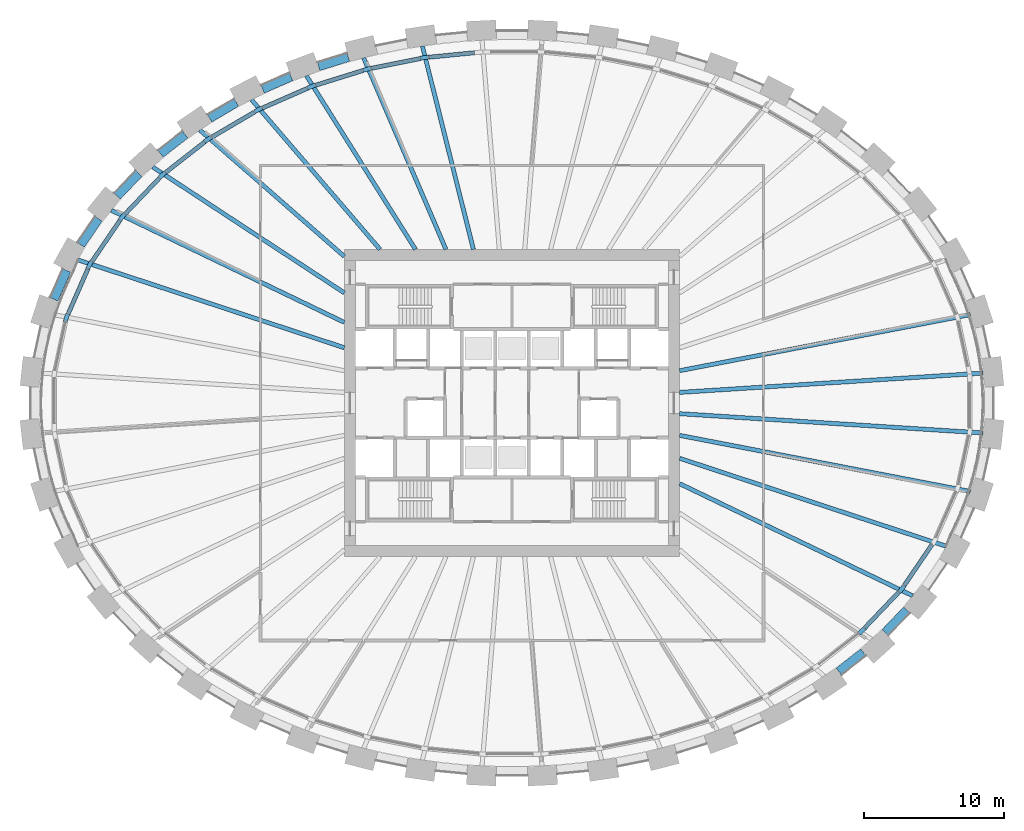
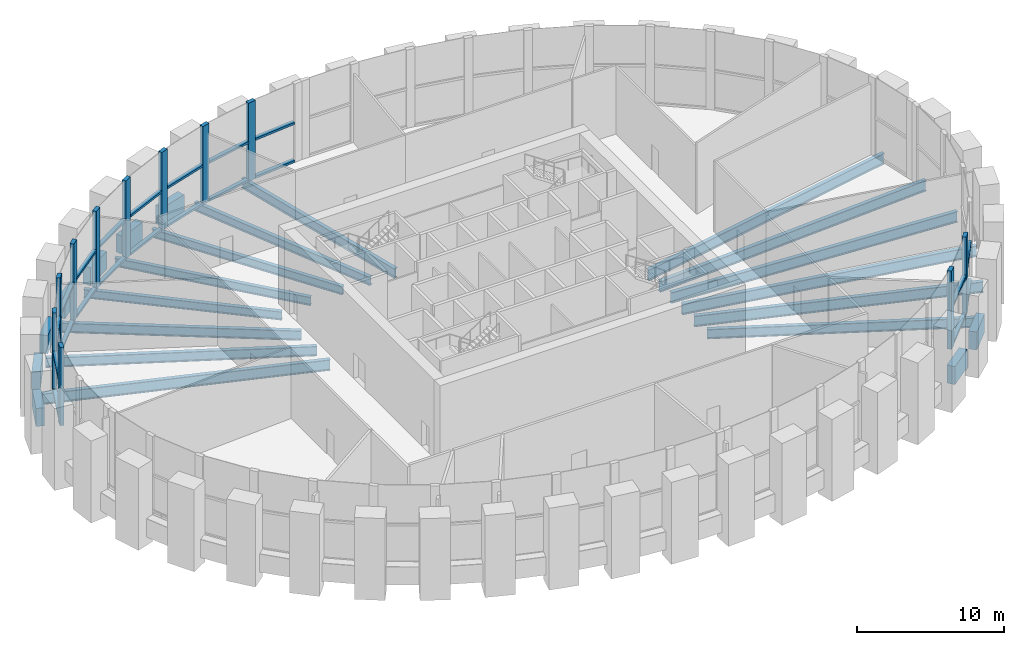
# One storey, part 3 of 16: 33 members, 23 beams, 2 elements without a shape of their own.
"""IFC4 building model written with IfcOpenShell, lengths in metres."""

from ifc_helpers import new_model, si_unit, direction, frame, origin, origin_2d, place, context, subcontext, project, spatial, rectangle, i_section, extrude, source, transform, mapped, material, material_profile, profile_set, type_object, element, aggregate, save


model = new_model("IFC4")

# Units and contexts
model_context = context("Model", 3, precision=1e-05, world=origin(), true_north=direction((0.0, 1.0)))
body_context = subcontext(model_context, "Body", "Model", "MODEL_VIEW")
ifc_project = project(units=[si_unit("LENGTHUNIT", "METRE"), si_unit("AREAUNIT", "SQUARE_METRE"), si_unit("VOLUMEUNIT", "CUBIC_METRE"), si_unit("PLANEANGLEUNIT", "RADIAN"), si_unit("MASSUNIT", "GRAM", prefix="KILO")], contexts=[model_context])

# Site, building, storey
site_placement = place(None, origin())
site = spatial("IfcSite", under=ifc_project, at=site_placement, CompositionType="ELEMENT")
building_placement = place(site_placement, origin())
building = spatial("IfcBuilding", under=site, at=building_placement, Name="Embergate Tower", CompositionType="ELEMENT")
storey_placement = place(building_placement, frame((0.0, 0.0, 234.60009765625)))
storey = spatial("IfcBuildingStorey", under=building, at=storey_placement, Name="L54", CompositionType="ELEMENT", Elevation=234.60009765625)

# Beams
ifc_material_1 = material(Name="Concrete C60", Category="concrete")
ifc_material_profile_1 = material_profile(ifc_material_1, rectangle(XDim=0.60009765625, YDim=1.5, at=origin_2d()), Name="RC 600x1500")
ifc_profile_set_1 = profile_set([ifc_material_profile_1], Name="Concrete C60")
beam_type_1 = type_object("IfcBeamType", Name="Spandrel beam RC 600x1500 C60", PredefinedType="BEAM", material=ifc_profile_set_1)
shared_shape_1 = source(origin(), body_context, "Body", "SweptSolid", [
    extrude(rectangle(XDim=0.60009765625, YDim=1.5, at=origin_2d()), origin(), (0.0, 0.0, 1.0), 2.252685546875),
])
beam_1_placement = place(storey_placement, frame((-31.868896484375, 9.48388671875, 0.0), z_axis=(-0.401739626426, -0.915753936688, 0.0), x_axis=(0.915753936688, -0.401739626426, 0.0)))
element("IfcBeam", 1, at=beam_1_placement, inside=storey, type_object=beam_type_1, Name="SPN-L54-19", PredefinedType="BEAM", context=body_context, shape_type="MappedRepresentation", body=[
    mapped(shared_shape_1, transform((0.0, 0.0, 0.0))),
])
shared_shape_2 = source(origin(), body_context, "Body", "SweptSolid", [
    extrude(rectangle(XDim=0.60009765625, YDim=1.5, at=origin_2d()), origin(), (0.0, 0.0, 1.0), 2.247802734375),
])
beam_2_placement = place(storey_placement, frame((-29.589111328125, 13.180908203125, 0.0), z_axis=(-0.562271401441, -0.826952762328, 0.0), x_axis=(0.826952762328, -0.562271401441, 0.0)))
element("IfcBeam", 2, at=beam_2_placement, inside=storey, type_object=beam_type_1, Name="SPN-L54-18", PredefinedType="BEAM", context=body_context, shape_type="MappedRepresentation", body=[
    mapped(shared_shape_2, transform((0.0, 0.0, 0.0))),
])
shared_shape_3 = source(origin(), body_context, "Body", "SweptSolid", [
    extrude(rectangle(XDim=0.60009765625, YDim=1.5, at=origin_2d()), origin(), (0.0, 0.0, 1.0), 2.24072265625),
])
for number, where, z_axis, x_axis, name in (
    (3, (-26.70703125, 16.423095703125, 0.0), (-0.690351348843, -0.723474267096, 0.0), (0.723474267096, -0.690351348843, 0.0), "SPN-L54-17"),
    (4, (26.70703125, -16.423095703125, 0.0), (0.690351348843, 0.723474267096, 0.0), (-0.723474267096, 0.690351348843, 0.0), "SPN-L54-39"),
):
    element("IfcBeam", number, at=place(storey_placement, frame(where, z_axis=z_axis, x_axis=x_axis)), inside=storey, type_object=beam_type_1, Name=name, PredefinedType="BEAM", context=body_context, shape_type="MappedRepresentation", body=[
        mapped(shared_shape_3, transform((0.0, 0.0, 0.0))),
    ])
shared_shape_4 = source(origin(), body_context, "Body", "SweptSolid", [
    extrude(rectangle(XDim=0.60009765625, YDim=1.5, at=origin_2d()), origin(), (0.0, 0.0, 1.0), 2.23583984375),
])
for number, where, z_axis, x_axis, name in (
    (5, (-23.387939453125, 19.2080078125, 0.0), (-0.788522428972, -0.615005999165, 0.0), (0.615005999165, -0.788522428972, 0.0), "SPN-L54-16"),
    (6, (23.387939453125, -19.2080078125, 0.0), (0.788522428972, 0.615005999165, 0.0), (-0.615005999165, 0.788522428972, 0.0), "SPN-L54-38"),
):
    element("IfcBeam", number, at=place(storey_placement, frame(where, z_axis=z_axis, x_axis=x_axis)), inside=storey, type_object=beam_type_1, Name=name, PredefinedType="BEAM", context=body_context, shape_type="MappedRepresentation", body=[
        mapped(shared_shape_4, transform((0.0, 0.0, 0.0))),
    ])
shared_shape_5 = source(origin(), body_context, "Body", "SweptSolid", [
    extrude(rectangle(XDim=0.60009765625, YDim=1.5, at=origin_2d()), origin(), (0.0, 0.0, 1.0), 2.230224609375),
])
beam_3_placement = place(storey_placement, frame((-19.717041015625, 21.501953125, 0.0), z_axis=(-0.862170504971, -0.506618219528, 0.0), x_axis=(0.506618219528, -0.862170504971, 0.0)))
element("IfcBeam", 7, at=beam_3_placement, inside=storey, type_object=beam_type_1, Name="SPN-L54-15", PredefinedType="BEAM", context=body_context, shape_type="MappedRepresentation", body=[
    mapped(shared_shape_5, transform((0.0, 0.0, 0.0))),
])
shared_shape_6 = source(origin(), body_context, "Body", "SweptSolid", [
    extrude(rectangle(XDim=0.60009765625, YDim=1.5, at=origin_2d()), origin(), (0.0, 0.0, 1.0), 2.2275390625),
])
beam_4_placement = place(storey_placement, frame((-15.805908203125, 23.34912109375, 0.0), z_axis=(-0.916298147751, -0.400496821995, 0.0), x_axis=(0.400496821995, -0.916298147751, 0.0)))
element("IfcBeam", 8, at=beam_4_placement, inside=storey, type_object=beam_type_1, Name="SPN-L54-14", PredefinedType="BEAM", context=body_context, shape_type="MappedRepresentation", body=[
    mapped(shared_shape_6, transform((0.0, 0.0, 0.0))),
])
shared_shape_7 = source(origin(), body_context, "Body", "SweptSolid", [
    extrude(rectangle(XDim=0.60009765625, YDim=1.5, at=origin_2d()), origin(), (0.0, 0.0, 1.0), 2.225830078125),
])
beam_5_placement = place(storey_placement, frame((-11.714111328125, 24.7451171875, 0.0), z_axis=(-0.954729467786, -0.297475449981, 0.0), x_axis=(0.297475449981, -0.954729467786, 0.0)))
element("IfcBeam", 9, at=beam_5_placement, inside=storey, type_object=beam_type_1, Name="SPN-L54-13", PredefinedType="BEAM", context=body_context, shape_type="MappedRepresentation", body=[
    mapped(shared_shape_7, transform((0.0, 0.0, 0.0))),
])
ifc_material_2 = material(Name="Steel Q355B", Category="steel")
ifc_material_profile_2 = material_profile(ifc_material_2, i_section(OverallWidth=0.300048828125, OverallDepth=0.89990234375, WebThickness=0.01611328125, FlangeThickness=0.028076171875, FilletRadius=0.028076171875, at=origin_2d()), Name="HN 900x300x16x28")
ifc_profile_set_2 = profile_set([ifc_material_profile_2], Name="Steel Q355 grade B")
beam_type_2 = type_object("IfcBeamType", Name="Radial girder HN 900x300x16x28", PredefinedType="BEAM", material=ifc_profile_set_2)
shared_shape_8 = source(origin(), body_context, "Body", "SweptSolid", [
    extrude(i_section(OverallWidth=0.300048828125, OverallDepth=0.89990234375, WebThickness=0.01611328125, FlangeThickness=0.028076171875, FilletRadius=0.028076171875, at=origin_2d()), origin(), (0.0, 0.0, 1.0), 21.7607421875),
])
for number, where, z_axis, x_axis, name in (
    (10, (33.717041015625, 2.14208984375, -0.75), (-0.997986768436, -0.063422472564, 0.0), (0.063422472564, -0.997986768436, 0.0), "GIR-L54-00"),
    (11, (33.717041015625, -2.14208984375, -0.75), (-0.997986768436, 0.063422472564, 0.0), (-0.063422472564, -0.997986768436, 0.0), "GIR-L54-43"),
):
    element("IfcBeam", number, at=place(storey_placement, frame(where, z_axis=z_axis, x_axis=x_axis)), inside=storey, type_object=beam_type_2, Name=name, PredefinedType="BEAM", context=body_context, shape_type="MappedRepresentation", body=[
        mapped(shared_shape_8, transform((0.0, 0.0, 0.0))),
    ])
shared_shape_9 = source(origin(), body_context, "Body", "SweptSolid", [
    extrude(i_section(OverallWidth=0.300048828125, OverallDepth=0.89990234375, WebThickness=0.01611328125, FlangeThickness=0.028076171875, FilletRadius=0.028076171875, at=origin_2d()), origin(), (0.0, 0.0, 1.0), 21.19873046875),
])
for number, where, z_axis, x_axis, name in (
    (12, (32.81494140625, 6.330078125, -0.75), (-0.981899006526, -0.189405229554, 0.0), (0.189405229554, -0.981899006526, 0.0), "GIR-L54-01"),
    (13, (32.81494140625, -6.330078125, -0.75), (-0.981899006526, 0.189405229554, 0.0), (-0.189405229554, -0.981899006526, 0.0), "GIR-L54-42"),
):
    element("IfcBeam", number, at=place(storey_placement, frame(where, z_axis=z_axis, x_axis=x_axis)), inside=storey, type_object=beam_type_2, Name=name, PredefinedType="BEAM", context=body_context, shape_type="MappedRepresentation", body=[
        mapped(shared_shape_9, transform((0.0, 0.0, 0.0))),
    ])
shared_shape_10 = source(origin(), body_context, "Body", "SweptSolid", [
    extrude(i_section(OverallWidth=0.300048828125, OverallDepth=0.89990234375, WebThickness=0.01611328125, FlangeThickness=0.028076171875, FilletRadius=0.028076171875, at=origin_2d()), origin(), (0.0, 0.0, 1.0), 20.1064453125),
])
for number, where, z_axis, x_axis, name in (
    (14, (-31.094970703125, 10.25390625, -0.75), (0.949694718682, -0.313177172391, 0.0), (0.313177172391, 0.949694718682, 0.0), "GIR-L54-19"),
    (15, (31.094970703125, -10.25390625, -0.75), (-0.949694718682, 0.313177172391, 0.0), (-0.313177172391, -0.949694718682, 0.0), "GIR-L54-41"),
):
    element("IfcBeam", number, at=place(storey_placement, frame(where, z_axis=z_axis, x_axis=x_axis)), inside=storey, type_object=beam_type_2, Name=name, PredefinedType="BEAM", context=body_context, shape_type="MappedRepresentation", body=[
        mapped(shared_shape_10, transform((0.0, 0.0, 0.0))),
    ])
ifc_material_profile_3 = material_profile(ifc_material_2, i_section(OverallWidth=0.300048828125, OverallDepth=0.800048828125, WebThickness=0.013916015625, FlangeThickness=0.02587890625, FilletRadius=0.028076171875, at=origin_2d()), Name="HN 800x300x14x26")
ifc_profile_set_3 = profile_set([ifc_material_profile_3], Name="Steel Q355 grade B")
beam_type_3 = type_object("IfcBeamType", Name="Radial girder HN 800x300x14x26", PredefinedType="BEAM", material=ifc_profile_set_3)
shared_shape_11 = source(origin(), body_context, "Body", "SweptSolid", [
    extrude(i_section(OverallWidth=0.300048828125, OverallDepth=0.800048828125, WebThickness=0.013916015625, FlangeThickness=0.02587890625, FilletRadius=0.028076171875, at=origin_2d()), origin(), (0.0, 0.0, 1.0), 18.51513671875),
])
for number, where, z_axis, x_axis, name in (
    (16, (-28.68505859375, 13.799072265625, -0.7001953125), (0.901158330665, -0.433490095704, 0.0), (0.433490095704, 0.901158330665, 0.0), "GIR-L54-18"),
    (17, (28.68505859375, -13.799072265625, -0.7001953125), (-0.901158330665, 0.433490095704, 0.0), (-0.433490095704, -0.901158330665, 0.0), "GIR-L54-40"),
):
    element("IfcBeam", number, at=place(storey_placement, frame(where, z_axis=z_axis, x_axis=x_axis)), inside=storey, type_object=beam_type_3, Name=name, PredefinedType="BEAM", context=body_context, shape_type="MappedRepresentation", body=[
        mapped(shared_shape_11, transform((0.0, 0.0, 0.0))),
    ])
shared_shape_12 = source(origin(), body_context, "Body", "SweptSolid", [
    extrude(i_section(OverallWidth=0.300048828125, OverallDepth=0.800048828125, WebThickness=0.013916015625, FlangeThickness=0.02587890625, FilletRadius=0.028076171875, at=origin_2d()), origin(), (0.0, 0.0, 1.0), 16.423583984375),
])
beam_6_placement = place(storey_placement, frame((-25.72607421875, 16.902099609375, -0.7001953125), z_axis=(0.835759275687, -0.549096014466, 0.0), x_axis=(0.549096014466, 0.835759275687, 0.0)))
element("IfcBeam", 18, at=beam_6_placement, inside=storey, type_object=beam_type_3, Name="GIR-L54-17", PredefinedType="BEAM", context=body_context, shape_type="MappedRepresentation", body=[
    mapped(shared_shape_12, transform((0.0, 0.0, 0.0))),
])
ifc_material_profile_4 = material_profile(ifc_material_2, i_section(OverallWidth=0.300048828125, OverallDepth=0.699951171875, WebThickness=0.012939453125, FlangeThickness=0.02392578125, FilletRadius=0.01806640625, at=origin_2d()), Name="HN 700x300x13x24")
ifc_profile_set_4 = profile_set([ifc_material_profile_4], Name="Steel Q355 grade B")
beam_type_4 = type_object("IfcBeamType", Name="Radial girder HN 700x300x13x24", PredefinedType="BEAM", material=ifc_profile_set_4)
shared_shape_13 = source(origin(), body_context, "Body", "SweptSolid", [
    extrude(i_section(OverallWidth=0.300048828125, OverallDepth=0.699951171875, WebThickness=0.012939453125, FlangeThickness=0.02392578125, FilletRadius=0.01806640625, at=origin_2d()), origin(), (0.0, 0.0, 1.0), 13.742431640625),
])
beam_7_placement = place(storey_placement, frame((-22.344970703125, 19.5400390625, -0.650146484375), z_axis=(0.75278245611, -0.658269377818, 0.0), x_axis=(0.658269377818, 0.75278245611, 0.0)))
element("IfcBeam", 19, at=beam_7_placement, inside=storey, type_object=beam_type_4, Name="GIR-L54-16", PredefinedType="BEAM", context=body_context, shape_type="MappedRepresentation", body=[
    mapped(shared_shape_13, transform((0.0, 0.0, 0.0))),
])
shared_shape_14 = source(origin(), body_context, "Body", "SweptSolid", [
    extrude(i_section(OverallWidth=0.300048828125, OverallDepth=0.699951171875, WebThickness=0.012939453125, FlangeThickness=0.02392578125, FilletRadius=0.01806640625, at=origin_2d()), origin(), (0.0, 0.0, 1.0), 14.12255859375),
])
beam_8_placement = place(storey_placement, frame((-18.64697265625, 21.714111328125, -0.650146484375), z_axis=(0.651501489493, -0.75864735496, 0.0), x_axis=(0.75864735496, 0.651501489493, 0.0)))
element("IfcBeam", 20, at=beam_8_placement, inside=storey, type_object=beam_type_4, Name="GIR-L54-15", PredefinedType="BEAM", context=body_context, shape_type="MappedRepresentation", body=[
    mapped(shared_shape_14, transform((0.0, 0.0, 0.0))),
])
shared_shape_15 = source(origin(), body_context, "Body", "SweptSolid", [
    extrude(i_section(OverallWidth=0.300048828125, OverallDepth=0.699951171875, WebThickness=0.012939453125, FlangeThickness=0.02392578125, FilletRadius=0.01806640625, at=origin_2d()), origin(), (0.0, 0.0, 1.0), 14.681640625),
])
beam_9_placement = place(storey_placement, frame((-14.717041015625, 23.43310546875, -0.650146484375), z_axis=(0.531830261052, -0.846850974747, 0.0), x_axis=(0.846850974747, 0.531830261052, 0.0)))
element("IfcBeam", 21, at=beam_9_placement, inside=storey, type_object=beam_type_4, Name="GIR-L54-14", PredefinedType="BEAM", context=body_context, shape_type="MappedRepresentation", body=[
    mapped(shared_shape_15, transform((0.0, 0.0, 0.0))),
])
shared_shape_16 = source(origin(), body_context, "Body", "SweptSolid", [
    extrude(i_section(OverallWidth=0.300048828125, OverallDepth=0.699951171875, WebThickness=0.012939453125, FlangeThickness=0.02392578125, FilletRadius=0.01806640625, at=origin_2d()), origin(), (0.0, 0.0, 1.0), 14.921630859375),
])
beam_10_placement = place(storey_placement, frame((-10.62109375, 24.708984375, -0.650146484375), z_axis=(0.394870881209, -0.918736625575, 0.0), x_axis=(0.918736625575, 0.394870881209, 0.0)))
element("IfcBeam", 22, at=beam_10_placement, inside=storey, type_object=beam_type_4, Name="GIR-L54-13", PredefinedType="BEAM", context=body_context, shape_type="MappedRepresentation", body=[
    mapped(shared_shape_16, transform((0.0, 0.0, 0.0))),
])
shared_shape_17 = source(origin(), body_context, "Body", "SweptSolid", [
    extrude(i_section(OverallWidth=0.300048828125, OverallDepth=0.800048828125, WebThickness=0.013916015625, FlangeThickness=0.02587890625, FilletRadius=0.028076171875, at=origin_2d()), origin(), (0.0, 0.0, 1.0), 15.00341796875),
])
beam_11_placement = place(storey_placement, frame((-6.4150390625, 25.552001953125, -0.7001953125), z_axis=(0.243481212882, -0.969905613435, 0.0), x_axis=(0.969905613435, 0.243481212882, 0.0)))
element("IfcBeam", 23, at=beam_11_placement, inside=storey, type_object=beam_type_3, Name="GIR-L54-12", PredefinedType="BEAM", context=body_context, shape_type="MappedRepresentation", body=[
    mapped(shared_shape_17, transform((0.0, 0.0, 0.0))),
])

# Curtain wall, members
ifc_material_3 = material(Name="Aluminium and glass", Category="aluminium")
curtain_wall_type = type_object("IfcCurtainWallType", Name="Sky lobby high glazing", PredefinedType="NOTDEFINED", material=ifc_material_3)
curtain_wall_1_placement = place(storey_placement, origin())
curtain_wall_1 = element("IfcCurtainWall", 24, at=curtain_wall_1_placement, inside=storey, type_object=curtain_wall_type, Name="Sky lobby high glazing run 2", ObjectType="SKY LOBBY HIGH GLAZING", PredefinedType="USERDEFINED")
ifc_material_4 = material(Name="Aluminium, thermally broken", Category="aluminium")
ifc_material_profile_5 = material_profile(ifc_material_4, rectangle(XDim=0.300048828125, YDim=0.60009765625, at=origin_2d()), Name="AL 600x300")
ifc_profile_set_5 = profile_set([ifc_material_profile_5], Name="Aluminium, thermally broken")
member_type_1 = type_object("IfcMemberType", Name="Sky lobby mullion", PredefinedType="MULLION", material=ifc_profile_set_5)
shared_shape_18 = source(origin(), body_context, "Body", "SweptSolid", [
    extrude(rectangle(XDim=0.300048828125, YDim=0.60009765625, at=origin_2d()), origin(), (0.0, 0.0, 1.0), 6.5),
])
member_1_placement = place(storey_placement, frame((-6.253173828125, 24.726806640625, 0.0), z_axis=(0.0, 0.0, 1.0), x_axis=(0.147410656556, -0.989075375456, 0.0)))
member_1 = element("IfcMember", 25, at=member_1_placement, type_object=member_type_1, Name="CW mullion 2", PredefinedType="MULLION", context=body_context, shape_type="MappedRepresentation", body=[
    mapped(shared_shape_18, transform((0.0, 0.0, 0.0))),
])
member_2_placement = place(storey_placement, frame((-10.351806640625, 23.90478515625, 0.0), z_axis=(0.0, 0.0, 1.0), x_axis=(0.247308499144, -0.96893679167, 0.0)))
member_2 = element("IfcMember", 26, at=member_2_placement, type_object=member_type_1, Name="CW mullion 3", PredefinedType="MULLION", context=body_context, shape_type="MappedRepresentation", body=[
    mapped(shared_shape_18, transform((0.0, 0.0, 0.0))),
])
member_3_placement = place(storey_placement, frame((-14.341064453125, 22.66259765625, 0.0), z_axis=(0.0, 0.0, 1.0), x_axis=(0.349497777064, -0.936937193107, 0.0)))
member_3 = element("IfcMember", 27, at=member_3_placement, type_object=member_type_1, Name="CW mullion 4", PredefinedType="MULLION", context=body_context, shape_type="MappedRepresentation", body=[
    mapped(shared_shape_18, transform((0.0, 0.0, 0.0))),
])
member_4_placement = place(storey_placement, frame((-18.16552734375, 20.989990234375, 0.0), z_axis=(0.0, 0.0, 1.0), x_axis=(0.454503607328, -0.89074489666, 0.0)))
member_4 = element("IfcMember", 28, at=member_4_placement, type_object=member_type_1, Name="CW mullion 5", PredefinedType="MULLION", context=body_context, shape_type="MappedRepresentation", body=[
    mapped(shared_shape_18, transform((0.0, 0.0, 0.0))),
])
member_5_placement = place(storey_placement, frame((-21.759765625, 18.877197265625, 0.0), z_axis=(0.0, 0.0, 1.0), x_axis=(0.562207514921, -0.82699619719, 0.0)))
member_5 = element("IfcMember", 29, at=member_5_placement, type_object=member_type_1, Name="CW mullion 6", PredefinedType="MULLION", context=body_context, shape_type="MappedRepresentation", body=[
    mapped(shared_shape_18, transform((0.0, 0.0, 0.0))),
])
member_6_placement = place(storey_placement, frame((-25.041015625, 16.316162109375, 0.0), z_axis=(0.0, 0.0, 1.0), x_axis=(0.67121489031, -0.741262821829, 0.0)))
member_6 = element("IfcMember", 30, at=member_6_placement, type_object=member_type_1, Name="CW mullion 7", PredefinedType="MULLION", context=body_context, shape_type="MappedRepresentation", body=[
    mapped(shared_shape_18, transform((0.0, 0.0, 0.0))),
])
member_7_placement = place(storey_placement, frame((-27.907958984375, 13.309814453125, 0.0), z_axis=(0.0, 0.0, 1.0), x_axis=(0.777858305711, -0.628439699762, 0.0)))
member_7 = element("IfcMember", 31, at=member_7_placement, type_object=member_type_1, Name="CW mullion 8", PredefinedType="MULLION", context=body_context, shape_type="MappedRepresentation", body=[
    mapped(shared_shape_18, transform((0.0, 0.0, 0.0))),
])
member_8_placement = place(storey_placement, frame((-30.238525390625, 9.8828125, 0.0), z_axis=(0.0, 0.0, 1.0), x_axis=(0.874989221314, -0.484142399078, 0.0)))
member_8 = element("IfcMember", 32, at=member_8_placement, type_object=member_type_1, Name="CW mullion 9", PredefinedType="MULLION", context=body_context, shape_type="MappedRepresentation", body=[
    mapped(shared_shape_18, transform((0.0, 0.0, 0.0))),
])
member_9_placement = place(storey_placement, frame((-31.899169921875, 6.096435546875, 0.0), z_axis=(0.0, 0.0, 1.0), x_axis=(0.951490817264, -0.307677143547, 0.0)))
member_9 = element("IfcMember", 33, at=member_9_placement, type_object=member_type_1, Name="CW mullion 10", PredefinedType="MULLION", context=body_context, shape_type="MappedRepresentation", body=[
    mapped(shared_shape_18, transform((0.0, 0.0, 0.0))),
])

curtain_wall_2_placement = place(storey_placement, origin())
curtain_wall_2 = element("IfcCurtainWall", 34, at=curtain_wall_2_placement, inside=storey, type_object=curtain_wall_type, Name="Sky lobby high glazing run 4", ObjectType="SKY LOBBY HIGH GLAZING", PredefinedType="USERDEFINED")
member_10_placement = place(storey_placement, frame((25.041015625, -16.316162109375, 0.0), z_axis=(0.0, 0.0, 1.0), x_axis=(-0.67121489031, 0.741262821829, 0.0)))
member_10 = element("IfcMember", 35, at=member_10_placement, type_object=member_type_1, Name="CW mullion 7", PredefinedType="MULLION", context=body_context, shape_type="MappedRepresentation", body=[
    mapped(shared_shape_18, transform((0.0, 0.0, 0.0))),
])
member_11_placement = place(storey_placement, frame((27.907958984375, -13.309814453125, 0.0), z_axis=(0.0, 0.0, 1.0), x_axis=(-0.777858305711, 0.628439699762, 0.0)))
member_11 = element("IfcMember", 36, at=member_11_placement, type_object=member_type_1, Name="CW mullion 8", PredefinedType="MULLION", context=body_context, shape_type="MappedRepresentation", body=[
    mapped(shared_shape_18, transform((0.0, 0.0, 0.0))),
])

# Member
ifc_material_profile_6 = material_profile(ifc_material_4, rectangle(XDim=0.300048828125, YDim=0.179931640625, at=origin_2d()), Name="AL 180x300")
ifc_profile_set_6 = profile_set([ifc_material_profile_6], Name="Aluminium, thermally broken")
member_type_2 = type_object("IfcMemberType", Name="Sky lobby transom", PredefinedType="USERDEFINED", material=ifc_profile_set_6)
shared_shape_19 = source(origin(), body_context, "Body", "SweptSolid", [
    extrude(rectangle(XDim=0.300048828125, YDim=0.179931640625, at=origin_2d()), origin(), (0.0, 0.0, 1.0), 3.53466796875),
])
member_12_placement = place(storey_placement, frame((-30.35888671875, 9.608154296875, 0.08984375), z_axis=(-0.401699095229, -0.915771716582, 0.0), x_axis=(0.915771716582, -0.401699095229, 0.0)))
member_12 = element("IfcMember", 37, at=member_12_placement, type_object=member_type_2, Name="CW transom 9.1", ObjectType="TRANSOM", PredefinedType="USERDEFINED", context=body_context, shape_type="MappedRepresentation", body=[
    mapped(shared_shape_19, transform((0.0, 0.0, 0.0))),
])

member_13_placement = place(storey_placement, frame((-30.35888671875, 9.608154296875, 3.25), z_axis=(-0.401699095229, -0.915771716582, 0.0), x_axis=(0.915771716582, -0.401699095229, 0.0)))
member_13 = element("IfcMember", 38, at=member_13_placement, type_object=member_type_2, Name="CW transom 9.2", ObjectType="TRANSOM", PredefinedType="USERDEFINED", context=body_context, shape_type="MappedRepresentation", body=[
    mapped(shared_shape_19, transform((0.0, 0.0, 0.0))),
])

shared_shape_20 = source(origin(), body_context, "Body", "SweptSolid", [
    extrude(rectangle(XDim=0.300048828125, YDim=0.179931640625, at=origin_2d()), origin(), (0.0, 0.0, 1.0), 3.54443359375),
])
member_14_placement = place(storey_placement, frame((-28.07666015625, 13.061767578125, 0.08984375), z_axis=(-0.562338281571, -0.826907284452, 0.0), x_axis=(0.826907284452, -0.562338281571, 0.0)))
member_14 = element("IfcMember", 39, at=member_14_placement, type_object=member_type_2, Name="CW transom 8.1", ObjectType="TRANSOM", PredefinedType="USERDEFINED", context=body_context, shape_type="MappedRepresentation", body=[
    mapped(shared_shape_20, transform((0.0, 0.0, 0.0))),
])

member_15_placement = place(storey_placement, frame((-28.07666015625, 13.061767578125, 3.25), z_axis=(-0.562338281571, -0.826907284452, 0.0), x_axis=(0.826907284452, -0.562338281571, 0.0)))
member_15 = element("IfcMember", 40, at=member_15_placement, type_object=member_type_2, Name="CW transom 8.2", ObjectType="TRANSOM", PredefinedType="USERDEFINED", context=body_context, shape_type="MappedRepresentation", body=[
    mapped(shared_shape_20, transform((0.0, 0.0, 0.0))),
])

member_16_placement = place(storey_placement, frame((28.07666015625, -13.061767578125, 0.08984375), z_axis=(0.562338281571, 0.826907284452, 0.0), x_axis=(-0.826907284452, 0.562338281571, 0.0)))
member_16 = element("IfcMember", 41, at=member_16_placement, type_object=member_type_2, Name="CW transom 8.1", ObjectType="TRANSOM", PredefinedType="USERDEFINED", context=body_context, shape_type="MappedRepresentation", body=[
    mapped(shared_shape_20, transform((0.0, 0.0, 0.0))),
])

member_17_placement = place(storey_placement, frame((28.07666015625, -13.061767578125, 3.25), z_axis=(0.562338281571, 0.826907284452, 0.0), x_axis=(-0.826907284452, 0.562338281571, 0.0)))
member_17 = element("IfcMember", 42, at=member_17_placement, type_object=member_type_2, Name="CW transom 8.2", ObjectType="TRANSOM", PredefinedType="USERDEFINED", context=body_context, shape_type="MappedRepresentation", body=[
    mapped(shared_shape_20, transform((0.0, 0.0, 0.0))),
])

shared_shape_21 = source(origin(), body_context, "Body", "SweptSolid", [
    extrude(rectangle(XDim=0.300048828125, YDim=0.179931640625, at=origin_2d()), origin(), (0.0, 0.0, 1.0), 3.55419921875),
])
member_18_placement = place(storey_placement, frame((-25.248046875, 16.09912109375, 0.08984375), z_axis=(-0.690147291227, -0.72366892735, 0.0), x_axis=(0.72366892735, -0.690147291227, 0.0)))
member_18 = element("IfcMember", 43, at=member_18_placement, type_object=member_type_2, Name="CW transom 7.1", ObjectType="TRANSOM", PredefinedType="USERDEFINED", context=body_context, shape_type="MappedRepresentation", body=[
    mapped(shared_shape_21, transform((0.0, 0.0, 0.0))),
])

member_19_placement = place(storey_placement, frame((-25.248046875, 16.09912109375, 3.25), z_axis=(-0.690147291227, -0.72366892735, 0.0), x_axis=(0.72366892735, -0.690147291227, 0.0)))
member_19 = element("IfcMember", 44, at=member_19_placement, type_object=member_type_2, Name="CW transom 7.2", ObjectType="TRANSOM", PredefinedType="USERDEFINED", context=body_context, shape_type="MappedRepresentation", body=[
    mapped(shared_shape_21, transform((0.0, 0.0, 0.0))),
])

member_20_placement = place(storey_placement, frame((25.248046875, -16.09912109375, 0.08984375), z_axis=(0.690147291227, 0.72366892735, 0.0), x_axis=(-0.72366892735, 0.690147291227, 0.0)))
member_20 = element("IfcMember", 45, at=member_20_placement, type_object=member_type_2, Name="CW transom 7.1", ObjectType="TRANSOM", PredefinedType="USERDEFINED", context=body_context, shape_type="MappedRepresentation", body=[
    mapped(shared_shape_21, transform((0.0, 0.0, 0.0))),
])

member_21_placement = place(storey_placement, frame((25.248046875, -16.09912109375, 3.25), z_axis=(0.690147291227, 0.72366892735, 0.0), x_axis=(-0.72366892735, 0.690147291227, 0.0)))
member_21 = element("IfcMember", 46, at=member_21_placement, type_object=member_type_2, Name="CW transom 7.2", ObjectType="TRANSOM", PredefinedType="USERDEFINED", context=body_context, shape_type="MappedRepresentation", body=[
    mapped(shared_shape_21, transform((0.0, 0.0, 0.0))),
])

aggregate(curtain_wall_2, [member_10, member_11, member_20, member_21, member_16, member_17])

shared_shape_22 = source(origin(), body_context, "Body", "SweptSolid", [
    extrude(rectangle(XDim=0.300048828125, YDim=0.179931640625, at=origin_2d()), origin(), (0.0, 0.0, 1.0), 3.562255859375),
])
member_22_placement = place(storey_placement, frame((-21.99609375, 18.6923828125, 0.08984375), z_axis=(-0.78834740186, -0.615230342214, 0.0), x_axis=(0.615230342214, -0.78834740186, 0.0)))
member_22 = element("IfcMember", 47, at=member_22_placement, type_object=member_type_2, Name="CW transom 6.1", ObjectType="TRANSOM", PredefinedType="USERDEFINED", context=body_context, shape_type="MappedRepresentation", body=[
    mapped(shared_shape_22, transform((0.0, 0.0, 0.0))),
])

member_23_placement = place(storey_placement, frame((-21.99609375, 18.6923828125, 3.25), z_axis=(-0.78834740186, -0.615230342214, 0.0), x_axis=(0.615230342214, -0.78834740186, 0.0)))
member_23 = element("IfcMember", 48, at=member_23_placement, type_object=member_type_2, Name="CW transom 6.2", ObjectType="TRANSOM", PredefinedType="USERDEFINED", context=body_context, shape_type="MappedRepresentation", body=[
    mapped(shared_shape_22, transform((0.0, 0.0, 0.0))),
])

shared_shape_23 = source(origin(), body_context, "Body", "SweptSolid", [
    extrude(rectangle(XDim=0.300048828125, YDim=0.179931640625, at=origin_2d()), origin(), (0.0, 0.0, 1.0), 3.5693359375),
])
member_24_placement = place(storey_placement, frame((-18.42431640625, 20.838134765625, 0.08984375), z_axis=(-0.86203969711, -0.506840764547, 0.0), x_axis=(0.506840764547, -0.86203969711, 0.0)))
member_24 = element("IfcMember", 49, at=member_24_placement, type_object=member_type_2, Name="CW transom 5.1", ObjectType="TRANSOM", PredefinedType="USERDEFINED", context=body_context, shape_type="MappedRepresentation", body=[
    mapped(shared_shape_23, transform((0.0, 0.0, 0.0))),
])

member_25_placement = place(storey_placement, frame((-18.42431640625, 20.838134765625, 3.25), z_axis=(-0.86203969711, -0.506840764547, 0.0), x_axis=(0.506840764547, -0.86203969711, 0.0)))
member_25 = element("IfcMember", 50, at=member_25_placement, type_object=member_type_2, Name="CW transom 5.2", ObjectType="TRANSOM", PredefinedType="USERDEFINED", context=body_context, shape_type="MappedRepresentation", body=[
    mapped(shared_shape_23, transform((0.0, 0.0, 0.0))),
])

shared_shape_24 = source(origin(), body_context, "Body", "SweptSolid", [
    extrude(rectangle(XDim=0.300048828125, YDim=0.179931640625, at=origin_2d()), origin(), (0.0, 0.0, 1.0), 3.573974609375),
])
member_26_placement = place(storey_placement, frame((-14.615966796875, 22.542236328125, 0.08984375), z_axis=(-0.916237272554, -0.400636069748, 0.0), x_axis=(0.400636069748, -0.916237272554, 0.0)))
member_26 = element("IfcMember", 51, at=member_26_placement, type_object=member_type_2, Name="CW transom 4.1", ObjectType="TRANSOM", PredefinedType="USERDEFINED", context=body_context, shape_type="MappedRepresentation", body=[
    mapped(shared_shape_24, transform((0.0, 0.0, 0.0))),
])

member_27_placement = place(storey_placement, frame((-14.615966796875, 22.542236328125, 3.25), z_axis=(-0.916237272554, -0.400636069748, 0.0), x_axis=(0.400636069748, -0.916237272554, 0.0)))
member_27 = element("IfcMember", 52, at=member_27_placement, type_object=member_type_2, Name="CW transom 4.2", ObjectType="TRANSOM", PredefinedType="USERDEFINED", context=body_context, shape_type="MappedRepresentation", body=[
    mapped(shared_shape_24, transform((0.0, 0.0, 0.0))),
])

shared_shape_25 = source(origin(), body_context, "Body", "SweptSolid", [
    extrude(rectangle(XDim=0.300048828125, YDim=0.179931640625, at=origin_2d()), origin(), (0.0, 0.0, 1.0), 3.577880859375),
])
member_28_placement = place(storey_placement, frame((-10.638427734375, 23.815673828125, 0.08984375), z_axis=(-0.954761239302, -0.297373462041, 0.0), x_axis=(0.297373462041, -0.954761239302, 0.0)))
member_28 = element("IfcMember", 53, at=member_28_placement, type_object=member_type_2, Name="CW transom 3.1", ObjectType="TRANSOM", PredefinedType="USERDEFINED", context=body_context, shape_type="MappedRepresentation", body=[
    mapped(shared_shape_25, transform((0.0, 0.0, 0.0))),
])

member_29_placement = place(storey_placement, frame((-10.638427734375, 23.815673828125, 3.25), z_axis=(-0.954761239302, -0.297373462041, 0.0), x_axis=(0.297373462041, -0.954761239302, 0.0)))
member_29 = element("IfcMember", 54, at=member_29_placement, type_object=member_type_2, Name="CW transom 3.2", ObjectType="TRANSOM", PredefinedType="USERDEFINED", context=body_context, shape_type="MappedRepresentation", body=[
    mapped(shared_shape_25, transform((0.0, 0.0, 0.0))),
])

shared_shape_26 = source(origin(), body_context, "Body", "SweptSolid", [
    extrude(rectangle(XDim=0.300048828125, YDim=0.179931640625, at=origin_2d()), origin(), (0.0, 0.0, 1.0), 3.58056640625),
])
member_30_placement = place(storey_placement, frame((-6.547119140625, 24.667724609375, 0.08984375), z_axis=(-0.980488781874, -0.196575045768, 0.0), x_axis=(0.196575045768, -0.980488781874, 0.0)))
member_30 = element("IfcMember", 55, at=member_30_placement, type_object=member_type_2, Name="CW transom 2.1", ObjectType="TRANSOM", PredefinedType="USERDEFINED", context=body_context, shape_type="MappedRepresentation", body=[
    mapped(shared_shape_26, transform((0.0, 0.0, 0.0))),
])

member_31_placement = place(storey_placement, frame((-6.547119140625, 24.667724609375, 3.25), z_axis=(-0.980488781874, -0.196575045768, 0.0), x_axis=(0.196575045768, -0.980488781874, 0.0)))
member_31 = element("IfcMember", 56, at=member_31_placement, type_object=member_type_2, Name="CW transom 2.2", ObjectType="TRANSOM", PredefinedType="USERDEFINED", context=body_context, shape_type="MappedRepresentation", body=[
    mapped(shared_shape_26, transform((0.0, 0.0, 0.0))),
])

shared_shape_27 = source(origin(), body_context, "Body", "SweptSolid", [
    extrude(rectangle(XDim=0.300048828125, YDim=0.179931640625, at=origin_2d()), origin(), (0.0, 0.0, 1.0), 3.2822265625),
])
member_32_placement = place(storey_placement, frame((-2.688232421875, 25.077392578125, 0.08984375), z_axis=(-0.995197173283, -0.097890685406, 0.0), x_axis=(0.097890685406, -0.995197173283, 0.0)))
member_32 = element("IfcMember", 57, at=member_32_placement, type_object=member_type_2, Name="CW transom 1.1", ObjectType="TRANSOM", PredefinedType="USERDEFINED", context=body_context, shape_type="MappedRepresentation", body=[
    mapped(shared_shape_27, transform((0.0, 0.0, 0.0))),
])

member_33_placement = place(storey_placement, frame((-2.688232421875, 25.077392578125, 3.25), z_axis=(-0.995197173283, -0.097890685406, 0.0), x_axis=(0.097890685406, -0.995197173283, 0.0)))
member_33 = element("IfcMember", 58, at=member_33_placement, type_object=member_type_2, Name="CW transom 1.2", ObjectType="TRANSOM", PredefinedType="USERDEFINED", context=body_context, shape_type="MappedRepresentation", body=[
    mapped(shared_shape_27, transform((0.0, 0.0, 0.0))),
])

aggregate(curtain_wall_1, [member_1, member_2, member_3, member_4, member_5, member_6, member_7, member_8, member_9, member_32, member_33, member_30, member_31, member_28, member_29, member_26, member_27, member_24, member_25, member_22, member_23, member_18, member_19, member_14, member_15, member_12, member_13])

save(model, "model.ifc")
